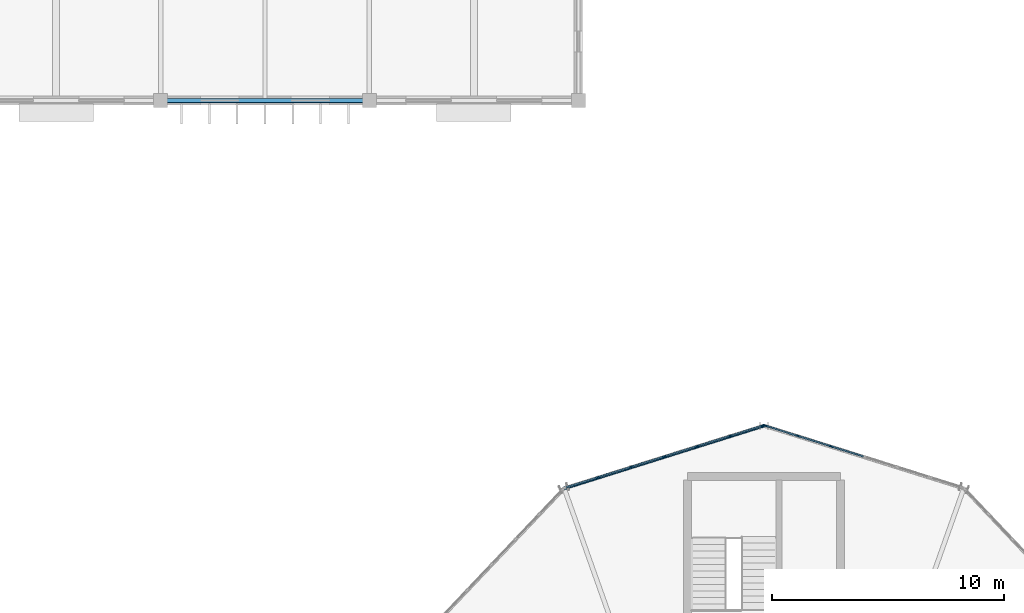
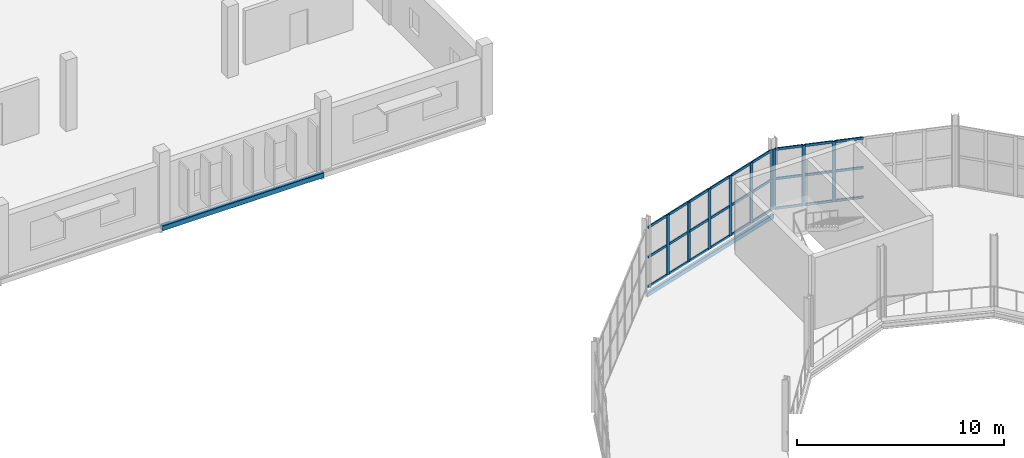
# One storey, part 103 of 161: 36 members, 2 beams, 2 elements without a shape of their own.
"""IFC4 building model written with IfcOpenShell, lengths in metres."""

import ifcopenshell
import ifcopenshell.guid

model = None  # the IFC model being written
_history = None  # IfcOwnerHistory: only IFC2X3 demands one
_inside = {}  # id of a spatial element -> (the spatial element, [elements in it])
_under = {}  # id of a project, library or spatial element -> (it, [spatial elements below it])
_declared = {}  # id of a project -> (the project, [libraries it declares])
_typed = {}  # id of a type object -> (the type object, [elements of that type])
_made_of = {}  # id of a material, layer set ... -> (it, [elements and type objects made of it])


def new_model(schema):
    """Start an empty IFC model of exactly this schema.

    Asked for "IFC4X3", IfcOpenShell would pick the latest addendum, in which some entities
    have other attributes; the version numbers below select the first issue.
    IFC2X3 requires an IfcOwnerHistory on every rooted entity: one is made here for all.
    """
    global model, _history
    if schema == "IFC4X3":
        model = ifcopenshell.file(schema_version=(4, 3, 0, 0))
    else:
        model = ifcopenshell.file(schema=schema)
    _inside.clear()
    _under.clear()
    _declared.clear()
    _typed.clear()
    _made_of.clear()
    _history = None
    if model.schema == "IFC2X3":
        org = make("IfcOrganization", Name="unknown")
        user = make(
            "IfcPersonAndOrganization",
            ThePerson=make("IfcPerson", FamilyName="unknown"),
            TheOrganization=org,
        )
        app = make(
            "IfcApplication",
            ApplicationDeveloper=org,
            Version="unknown",
            ApplicationFullName="unknown",
            ApplicationIdentifier="unknown",
        )
        _history = make(
            "IfcOwnerHistory",
            OwningUser=user,
            OwningApplication=app,
            ChangeAction="ADDED",
            CreationDate=0,
        )
    return model


def make(cls, **values):
    """One entity of the class cls with the attributes given. An attribute that is None is left unset."""
    return model.create_entity(
        cls, **{name: value for name, value in values.items() if value is not None}
    )


def rooted(cls, **values):
    """An entity with a GlobalId (a new one), such as an element, a storey or a relation."""
    return make(cls, GlobalId=ifcopenshell.guid.new(), OwnerHistory=_history, **values)


def si_unit(unit_type, name, prefix=None):
    """IfcSIUnit, for example si_unit("LENGTHUNIT", "METRE", prefix="MILLI")."""
    return make("IfcSIUnit", UnitType=unit_type, Prefix=prefix, Name=name)


def assignment(units):
    """IfcUnitAssignment: the units of a project."""
    return None if units is None else make("IfcUnitAssignment", Units=units)


def point(xyz):
    """IfcCartesianPoint."""
    return None if xyz is None else make("IfcCartesianPoint", Coordinates=xyz)


def direction(xyz):
    """IfcDirection."""
    return None if xyz is None else make("IfcDirection", DirectionRatios=xyz)


def frame(location, z_axis=None, x_axis=None):
    """IfcAxis2Placement3D, a coordinate frame: its origin and axes. An axis left out is left unset."""
    return make(
        "IfcAxis2Placement3D",
        Location=point(location),
        Axis=direction(z_axis),
        RefDirection=direction(x_axis),
    )


def frame_2d(location, x_axis=None):
    """IfcAxis2Placement2D, a coordinate frame in the plane: its origin and x axis."""
    return make(
        "IfcAxis2Placement2D", Location=point(location), RefDirection=direction(x_axis)
    )


def origin():
    """The frame at (0, 0, 0) with its axes left unset."""
    return frame((0.0, 0.0, 0.0))


def origin_2d():
    """The frame at (0, 0) in the plane with its x axis left unset."""
    return frame_2d((0.0, 0.0))


def place(relative_to, where):
    """IfcLocalPlacement: puts the frame where relative to a parent placement (None: the world)."""
    return make(
        "IfcLocalPlacement", PlacementRelTo=relative_to, RelativePlacement=where
    )


def context(
    kind, dimensions, precision=None, world=None, true_north=None, identifier=None
):
    """IfcGeometricRepresentationContext, for example the 3D "Model" context."""
    return make(
        "IfcGeometricRepresentationContext",
        ContextIdentifier=identifier,
        ContextType=kind,
        CoordinateSpaceDimension=dimensions,
        Precision=precision,
        WorldCoordinateSystem=world,
        TrueNorth=true_north,
    )


def subcontext(parent, identifier, kind, view, scale=None):
    """IfcGeometricRepresentationSubContext, for example "Body" below "Model"."""
    return make(
        "IfcGeometricRepresentationSubContext",
        ContextIdentifier=identifier,
        ContextType=kind,
        ParentContext=parent,
        TargetScale=scale,
        TargetView=view,
    )


def project(units=None, contexts=None):
    """IfcProject with its units and contexts."""
    return rooted(
        "IfcProject",
        Name="project",
        RepresentationContexts=contexts,
        UnitsInContext=assignment(units),
    )


def spatial(cls, under=None, at=None, **own):
    """A site, building, storey or space (cls), placed at a placement, below another one or the project."""
    s = rooted(cls, ObjectPlacement=at, **own)
    if under is not None:
        _under.setdefault(under.id(), (under, []))[1].append(s)
    return s


def profile(cls, at=None, kind="AREA", **sizes):
    """A parametric profile (cls). Its sizes go by their IFC names, for example OverallWidth=200.0."""
    return make(cls, ProfileType=kind, Position=at, **sizes)


def rectangle(**sizes):
    """IfcRectangleProfileDef."""
    return profile("IfcRectangleProfileDef", **sizes)


def hollow_rectangle(**sizes):
    """IfcRectangleHollowProfileDef."""
    return profile("IfcRectangleHollowProfileDef", **sizes)


def extrude(swept, where, along, depth):
    """IfcExtrudedAreaSolid: the profile swept, set in the frame where, extruded along a direction by depth."""
    return make(
        "IfcExtrudedAreaSolid",
        SweptArea=swept,
        Position=where,
        ExtrudedDirection=direction(along),
        Depth=depth,
    )


def shape(context_of_items, identifier, shape_type, items):
    """IfcShapeRepresentation: the items that make up one representation, for example the "Body"."""
    return make(
        "IfcShapeRepresentation",
        ContextOfItems=context_of_items,
        RepresentationIdentifier=identifier,
        RepresentationType=shape_type,
        Items=items,
    )


def material(Name=None, Category=None):
    """IfcMaterial."""
    return make("IfcMaterial", Name=Name, Category=Category)


def material_profile(
    of_material, cross_section, Name=None, Category=None, Priority=None
):
    """IfcMaterialProfile: a cross section and its material."""
    return make(
        "IfcMaterialProfile",
        Name=Name,
        Material=of_material,
        Profile=cross_section,
        Priority=Priority,
        Category=Category,
    )


def profile_set(profiles, Name=None, composite=None):
    """IfcMaterialProfileSet."""
    return make(
        "IfcMaterialProfileSet",
        Name=Name,
        MaterialProfiles=profiles,
        CompositeProfile=composite,
    )


def made_of(thing, what):
    """Note that an element or type object is made of a material, layer set ...; save() writes the relation."""
    if what is not None:
        _made_of.setdefault(what.id(), (what, []))[1].append(thing)
    return thing


def type_object(cls, material=None, **own):
    """A type object (cls), such as IfcWallType, which elements share."""
    return made_of(rooted(cls, **own), material)


def element(
    cls,
    number,
    at=None,
    inside=None,
    cuts=None,
    type_object=None,
    material=None,
    context=None,
    identifier="Body",
    shape_type=None,
    held_by="IfcProductDefinitionShape",
    body=None,
    shapes=None,
    **own,
):
    """One element of the class cls, such as IfcWall. Its Tag is "e" and its number.

    at: its placement. inside: the storey or other place that contains it. cuts: it is an
    opening in that element (IfcRelVoidsElement). A single representation is given by context,
    identifier, shape_type and body (its items); several are given by shapes. held_by: the class
    of the entity that holds the representations. save() writes the other relations.
    """
    e = rooted(cls, Tag="e%d" % number, ObjectPlacement=at, **own)
    if body is not None:
        shapes = [shape(context, identifier, shape_type, body)]
    if shapes is not None:
        e.Representation = make(held_by, Representations=shapes)
    if inside is not None:
        _inside.setdefault(inside.id(), (inside, []))[1].append(e)
    if cuts is not None:
        rooted(
            "IfcRelVoidsElement", RelatingBuildingElement=cuts, RelatedOpeningElement=e
        )
    if type_object is not None:
        _typed.setdefault(type_object.id(), (type_object, []))[1].append(e)
    return made_of(e, material)


def aggregate(whole, parts):
    """IfcRelAggregates: a whole, such as a stair, and the parts it consists of."""
    return rooted("IfcRelAggregates", RelatingObject=whole, RelatedObjects=parts)


def save(model, path):
    """Write the relations noted so far, then the file.

    IfcRelAggregates (storeys below a building ...), IfcRelContainedInSpatialStructure (elements
    in a storey), IfcRelDefinesByType, IfcRelAssociatesMaterial and IfcRelDeclares: one each for
    every whole, place, type object, material and project.
    """
    for whole, parts in _under.values():
        aggregate(whole, parts)
    for where, things in _inside.values():
        rooted(
            "IfcRelContainedInSpatialStructure",
            RelatedElements=things,
            RelatingStructure=where,
        )
    for kind, things in _typed.values():
        rooted("IfcRelDefinesByType", RelatedObjects=things, RelatingType=kind)
    for what, things in _made_of.values():
        rooted("IfcRelAssociatesMaterial", RelatedObjects=things, RelatingMaterial=what)
    for by, libraries in _declared.values():
        rooted("IfcRelDeclares", RelatingContext=by, RelatedDefinitions=libraries)
    model.write(path)


model = new_model("IFC4")

# Units and contexts
model_context = context("Model", 3, precision=1e-05, world=origin(), true_north=direction((0.0, 1.0)))
body_context = subcontext(model_context, "Body", "Model", "MODEL_VIEW")
ifc_project = project(units=[si_unit("LENGTHUNIT", "METRE"), si_unit("AREAUNIT", "SQUARE_METRE"), si_unit("VOLUMEUNIT", "CUBIC_METRE"), si_unit("PLANEANGLEUNIT", "RADIAN"), si_unit("MASSUNIT", "GRAM", prefix="KILO")], contexts=[model_context])

# Site, building, storey
site_placement = place(None, origin())
site = spatial("IfcSite", under=ifc_project, at=site_placement, CompositionType="ELEMENT")
building_placement = place(site_placement, origin())
building = spatial("IfcBuilding", under=site, at=building_placement, Name="Kildeholm Park Wholesale Market", CompositionType="ELEMENT")
storey_placement = place(building_placement, frame((0.0, 0.0, 5.39990234375)))
storey = spatial("IfcBuildingStorey", under=building, at=storey_placement, Name="L01", CompositionType="ELEMENT", Elevation=5.39990234375)

# Beams
ifc_material_1 = material(Name="Steel S355", Category="steel")
ifc_material_profile_1 = material_profile(ifc_material_1, hollow_rectangle(XDim=0.199951171875, YDim=0.300048828125, WallThickness=0.012451171875, InnerFilletRadius=0.012451171875, OuterFilletRadius=0.02490234375, at=origin_2d()), Name="RHS 300x200x12.5")
ifc_profile_set_1 = profile_set([ifc_material_profile_1], Name="Steel S355")
beam_type_1 = type_object("IfcBeamType", Name="Beam SP-01 RHS 300x200x12.5", PredefinedType="SPANDREL", material=ifc_profile_set_1)
beam_1_placement = place(storey_placement, frame((162.0, 144.0, -0.469970703125), z_axis=(1.0, 0.0, 0.0), x_axis=(0.0, 1.0, 0.0)))
element("IfcBeam", 1, at=beam_1_placement, inside=storey, type_object=beam_type_1, Name="Beam BM-V4-L01-X-162-144 BM-0658", PredefinedType="SPANDREL", context=body_context, shape_type="SweptSolid", body=[
    extrude(hollow_rectangle(XDim=0.199951171875, YDim=0.300048828125, WallThickness=0.012451171875, InnerFilletRadius=0.012451171875, OuterFilletRadius=0.02490234375, at=origin_2d()), origin(), (0.0, 0.0, 1.0), 9.0),
])
ifc_material_profile_2 = material_profile(ifc_material_1, hollow_rectangle(XDim=0.14990234375, YDim=0.25, WallThickness=0.010009765625, InnerFilletRadius=0.010009765625, OuterFilletRadius=0.02001953125, at=origin_2d()), Name="RHS 250x150x10")
ifc_profile_set_2 = profile_set([ifc_material_profile_2], Name="Steel S355")
beam_type_2 = type_object("IfcBeamType", Name="Beam SP-02 RHS 250x150x10", PredefinedType="SPANDREL", material=ifc_profile_set_2)
beam_2_placement = place(storey_placement, frame((188.0, 130.0, -0.385009765625), z_axis=(-0.954124515816, -0.299410100562, 0.0), x_axis=(0.299410100562, -0.954124515816, 0.0)))
element("IfcBeam", 2, at=beam_2_placement, inside=storey, type_object=beam_type_2, Name="Beam BM-V2-L01-CO-04 BM-0392", PredefinedType="SPANDREL", context=body_context, shape_type="SweptSolid", body=[
    extrude(hollow_rectangle(XDim=0.14990234375, YDim=0.25, WallThickness=0.010009765625, InnerFilletRadius=0.010009765625, OuterFilletRadius=0.02001953125, at=origin_2d()), origin(), (0.0, 0.0, 1.0), 9.024169921875),
])

# Curtain wall, members
ifc_material_2 = material(Name="Anodised aluminium and low-E double-glazed glass", Category="aluminium")
curtain_wall_type = type_object("IfcCurtainWallType", Name="Market hall glazed arcade stick curtain wall CW-01", PredefinedType="NOTDEFINED", material=ifc_material_2)
curtain_wall_1_placement = place(storey_placement, origin())
curtain_wall_1 = element("IfcCurtainWall", 3, at=curtain_wall_1_placement, inside=storey, type_object=curtain_wall_type, Name="Curtain wall CW-V2-L01-03 CW-0122", PredefinedType="NOTDEFINED")
ifc_material_3 = material(Name="Anodised aluminium", Category="aluminium")
ifc_material_profile_3 = material_profile(ifc_material_3, rectangle(XDim=0.06494140625, YDim=0.179931640625, at=origin_2d()), Name="CWM 65x180")
ifc_profile_set_3 = profile_set([ifc_material_profile_3], Name="Anodised aluminium")
member_type_1 = type_object("IfcMemberType", Name="Curtain-wall mullion CWM-1 CWM 65x180", PredefinedType="MULLION", material=ifc_profile_set_3)
member_1_placement = place(storey_placement, frame((190.884033203125, 129.10693359375, 0.0), z_axis=(0.0, 0.0, 1.0), x_axis=(-0.29947776095, -0.954103280938, 0.0)))
member_1 = element("IfcMember", 4, at=member_1_placement, type_object=member_type_1, Name="CW-01 mullion 5 MEM-3751", PredefinedType="MULLION", context=body_context, shape_type="SweptSolid", body=[
    extrude(rectangle(XDim=0.06494140625, YDim=0.179931640625, at=origin_2d()), origin(), (0.0, 0.0, 1.0), 3.550048828125),
])
member_2_placement = place(storey_placement, frame((189.46142578125, 129.553466796875, 0.0), z_axis=(0.0, 0.0, 1.0), x_axis=(-0.29947776095, -0.954103280938, 0.0)))
member_2 = element("IfcMember", 5, at=member_2_placement, type_object=member_type_1, Name="CW-01 mullion 6 MEM-3752", PredefinedType="MULLION", context=body_context, shape_type="SweptSolid", body=[
    extrude(rectangle(XDim=0.06494140625, YDim=0.179931640625, at=origin_2d()), origin(), (0.0, 0.0, 1.0), 3.550048828125),
])
member_3_placement = place(storey_placement, frame((188.070068359375, 129.990234375, 0.0), z_axis=(0.0, 0.0, 1.0), x_axis=(-0.29947776095, -0.954103280938, 0.0)))
member_3 = element("IfcMember", 6, at=member_3_placement, type_object=member_type_1, Name="CW-01 mullion 7 MEM-3753", PredefinedType="MULLION", context=body_context, shape_type="SweptSolid", body=[
    extrude(rectangle(XDim=0.06494140625, YDim=0.179931640625, at=origin_2d()), origin(), (0.0, 0.0, 1.0), 3.550048828125),
])

curtain_wall_2_placement = place(storey_placement, origin())
curtain_wall_2 = element("IfcCurtainWall", 7, at=curtain_wall_2_placement, inside=storey, type_object=curtain_wall_type, Name="Curtain wall CW-V2-L01-04 CW-0123", PredefinedType="NOTDEFINED")
member_4_placement = place(storey_placement, frame((187.929931640625, 129.990234375, 0.0), z_axis=(0.0, 0.0, 1.0), x_axis=(0.29947776095, -0.954103280938, 0.0)))
member_4 = element("IfcMember", 8, at=member_4_placement, type_object=member_type_1, Name="CW-01 mullion 1 MEM-3772", PredefinedType="MULLION", context=body_context, shape_type="SweptSolid", body=[
    extrude(rectangle(XDim=0.06494140625, YDim=0.179931640625, at=origin_2d()), origin(), (0.0, 0.0, 1.0), 3.550048828125),
])
member_5_placement = place(storey_placement, frame((186.53857421875, 129.553466796875, 0.0), z_axis=(0.0, 0.0, 1.0), x_axis=(0.29947776095, -0.954103280938, 0.0)))
member_5 = element("IfcMember", 9, at=member_5_placement, type_object=member_type_1, Name="CW-01 mullion 2 MEM-3773", PredefinedType="MULLION", context=body_context, shape_type="SweptSolid", body=[
    extrude(rectangle(XDim=0.06494140625, YDim=0.179931640625, at=origin_2d()), origin(), (0.0, 0.0, 1.0), 3.550048828125),
])
member_6_placement = place(storey_placement, frame((185.115966796875, 129.10693359375, 0.0), z_axis=(0.0, 0.0, 1.0), x_axis=(0.29947776095, -0.954103280938, 0.0)))
member_6 = element("IfcMember", 10, at=member_6_placement, type_object=member_type_1, Name="CW-01 mullion 3 MEM-3774", PredefinedType="MULLION", context=body_context, shape_type="SweptSolid", body=[
    extrude(rectangle(XDim=0.06494140625, YDim=0.179931640625, at=origin_2d()), origin(), (0.0, 0.0, 1.0), 3.550048828125),
])
member_7_placement = place(storey_placement, frame((183.693603515625, 128.660400390625, 0.0), z_axis=(0.0, 0.0, 1.0), x_axis=(0.29947776095, -0.954103280938, 0.0)))
member_7 = element("IfcMember", 11, at=member_7_placement, type_object=member_type_1, Name="CW-01 mullion 4 MEM-3775", PredefinedType="MULLION", context=body_context, shape_type="SweptSolid", body=[
    extrude(rectangle(XDim=0.06494140625, YDim=0.179931640625, at=origin_2d()), origin(), (0.0, 0.0, 1.0), 3.550048828125),
])
member_8_placement = place(storey_placement, frame((182.27099609375, 128.214111328125, 0.0), z_axis=(0.0, 0.0, 1.0), x_axis=(0.29947776095, -0.954103280938, 0.0)))
member_8 = element("IfcMember", 12, at=member_8_placement, type_object=member_type_1, Name="CW-01 mullion 5 MEM-3776", PredefinedType="MULLION", context=body_context, shape_type="SweptSolid", body=[
    extrude(rectangle(XDim=0.06494140625, YDim=0.179931640625, at=origin_2d()), origin(), (0.0, 0.0, 1.0), 3.550048828125),
])
member_9_placement = place(storey_placement, frame((180.848388671875, 127.767578125, 0.0), z_axis=(0.0, 0.0, 1.0), x_axis=(0.29947776095, -0.954103280938, 0.0)))
member_9 = element("IfcMember", 13, at=member_9_placement, type_object=member_type_1, Name="CW-01 mullion 6 MEM-3777", PredefinedType="MULLION", context=body_context, shape_type="SweptSolid", body=[
    extrude(rectangle(XDim=0.06494140625, YDim=0.179931640625, at=origin_2d()), origin(), (0.0, 0.0, 1.0), 3.550048828125),
])

# Member
ifc_material_profile_4 = material_profile(ifc_material_3, rectangle(XDim=0.06494140625, YDim=0.139892578125, at=origin_2d()), Name="CWT 65x140")
ifc_profile_set_4 = profile_set([ifc_material_profile_4], Name="Anodised aluminium")
member_type_2 = type_object("IfcMemberType", Name="Curtain-wall transom CWT-1 CWT 65x140", PredefinedType="USERDEFINED", material=ifc_profile_set_4)
member_10_placement = place(storey_placement, frame((192.275390625, 128.670166015625, 0.03271484375), z_axis=(-0.954101406412, 0.299483732917, 0.0), x_axis=(-0.299483732917, -0.954101406412, 0.0)))
member_10 = element("IfcMember", 14, at=member_10_placement, type_object=member_type_2, Name="CW-01 transom 4.1 MEM-3763", ObjectType="TRANSOM", PredefinedType="USERDEFINED", context=body_context, shape_type="SweptSolid", body=[
    extrude(rectangle(XDim=0.06494140625, YDim=0.139892578125, at=origin_2d()), origin(), (0.0, 0.0, 1.0), 1.42578125),
])

member_11_placement = place(storey_placement, frame((192.275390625, 128.670166015625, 1.775146484375), z_axis=(-0.954101406412, 0.299483732917, 0.0), x_axis=(-0.299483732917, -0.954101406412, 0.0)))
member_11 = element("IfcMember", 15, at=member_11_placement, type_object=member_type_2, Name="CW-01 transom 4.2 MEM-3764", ObjectType="TRANSOM", PredefinedType="USERDEFINED", context=body_context, shape_type="SweptSolid", body=[
    extrude(rectangle(XDim=0.06494140625, YDim=0.139892578125, at=origin_2d()), origin(), (0.0, 0.0, 1.0), 1.42578125),
])

member_12_placement = place(storey_placement, frame((192.275390625, 128.670166015625, 3.517578125), z_axis=(-0.954101406412, 0.299483732917, 0.0), x_axis=(-0.299483732917, -0.954101406412, 0.0)))
member_12 = element("IfcMember", 16, at=member_12_placement, type_object=member_type_2, Name="CW-01 transom 4.3 MEM-3765", ObjectType="TRANSOM", PredefinedType="USERDEFINED", context=body_context, shape_type="SweptSolid", body=[
    extrude(rectangle(XDim=0.06494140625, YDim=0.139892578125, at=origin_2d()), origin(), (0.0, 0.0, 1.0), 1.42578125),
])

member_13_placement = place(storey_placement, frame((190.85302734375, 129.11669921875, 0.03271484375), z_axis=(-0.954116760481, 0.299434813221, 0.0), x_axis=(-0.299434813221, -0.954116760481, 0.0)))
member_13 = element("IfcMember", 17, at=member_13_placement, type_object=member_type_2, Name="CW-01 transom 5.1 MEM-3766", ObjectType="TRANSOM", PredefinedType="USERDEFINED", context=body_context, shape_type="SweptSolid", body=[
    extrude(rectangle(XDim=0.06494140625, YDim=0.139892578125, at=origin_2d()), origin(), (0.0, 0.0, 1.0), 1.426025390625),
])

member_14_placement = place(storey_placement, frame((190.85302734375, 129.11669921875, 1.775146484375), z_axis=(-0.954116760481, 0.299434813221, 0.0), x_axis=(-0.299434813221, -0.954116760481, 0.0)))
member_14 = element("IfcMember", 18, at=member_14_placement, type_object=member_type_2, Name="CW-01 transom 5.2 MEM-3767", ObjectType="TRANSOM", PredefinedType="USERDEFINED", context=body_context, shape_type="SweptSolid", body=[
    extrude(rectangle(XDim=0.06494140625, YDim=0.139892578125, at=origin_2d()), origin(), (0.0, 0.0, 1.0), 1.426025390625),
])

member_15_placement = place(storey_placement, frame((190.85302734375, 129.11669921875, 3.517578125), z_axis=(-0.954116760481, 0.299434813221, 0.0), x_axis=(-0.299434813221, -0.954116760481, 0.0)))
member_15 = element("IfcMember", 19, at=member_15_placement, type_object=member_type_2, Name="CW-01 transom 5.3 MEM-3768", ObjectType="TRANSOM", PredefinedType="USERDEFINED", context=body_context, shape_type="SweptSolid", body=[
    extrude(rectangle(XDim=0.06494140625, YDim=0.139892578125, at=origin_2d()), origin(), (0.0, 0.0, 1.0), 1.426025390625),
])

member_16_placement = place(storey_placement, frame((189.430419921875, 129.563232421875, 0.03271484375), z_axis=(-0.954108208412, 0.299462062108, 0.0), x_axis=(-0.299462062108, -0.954108208412, 0.0)))
member_16 = element("IfcMember", 20, at=member_16_placement, type_object=member_type_2, Name="CW-01 transom 6.1 MEM-3769", ObjectType="TRANSOM", PredefinedType="USERDEFINED", context=body_context, shape_type="SweptSolid", body=[
    extrude(rectangle(XDim=0.06494140625, YDim=0.139892578125, at=origin_2d()), origin(), (0.0, 0.0, 1.0), 1.393310546875),
])

member_17_placement = place(storey_placement, frame((189.430419921875, 129.563232421875, 1.775146484375), z_axis=(-0.954108208412, 0.299462062108, 0.0), x_axis=(-0.299462062108, -0.954108208412, 0.0)))
member_17 = element("IfcMember", 21, at=member_17_placement, type_object=member_type_2, Name="CW-01 transom 6.2 MEM-3770", ObjectType="TRANSOM", PredefinedType="USERDEFINED", context=body_context, shape_type="SweptSolid", body=[
    extrude(rectangle(XDim=0.06494140625, YDim=0.139892578125, at=origin_2d()), origin(), (0.0, 0.0, 1.0), 1.393310546875),
])

member_18_placement = place(storey_placement, frame((189.430419921875, 129.563232421875, 3.517578125), z_axis=(-0.954108208412, 0.299462062108, 0.0), x_axis=(-0.299462062108, -0.954108208412, 0.0)))
member_18 = element("IfcMember", 22, at=member_18_placement, type_object=member_type_2, Name="CW-01 transom 6.3 MEM-3771", ObjectType="TRANSOM", PredefinedType="USERDEFINED", context=body_context, shape_type="SweptSolid", body=[
    extrude(rectangle(XDim=0.06494140625, YDim=0.139892578125, at=origin_2d()), origin(), (0.0, 0.0, 1.0), 1.393310546875),
])

aggregate(curtain_wall_1, [member_1, member_2, member_3, member_10, member_11, member_12, member_13, member_14, member_15, member_16, member_17, member_18])

member_19_placement = place(storey_placement, frame((187.89892578125, 129.98046875, 0.03271484375), z_axis=(-0.954108208412, -0.299462062108, 0.0), x_axis=(0.299462062108, -0.954108208412, 0.0)))
member_19 = element("IfcMember", 23, at=member_19_placement, type_object=member_type_2, Name="CW-01 transom 1.1 MEM-3779", ObjectType="TRANSOM", PredefinedType="USERDEFINED", context=body_context, shape_type="SweptSolid", body=[
    extrude(rectangle(XDim=0.06494140625, YDim=0.139892578125, at=origin_2d()), origin(), (0.0, 0.0, 1.0), 1.393310546875),
])

member_20_placement = place(storey_placement, frame((187.89892578125, 129.98046875, 1.775146484375), z_axis=(-0.954108208412, -0.299462062108, 0.0), x_axis=(0.299462062108, -0.954108208412, 0.0)))
member_20 = element("IfcMember", 24, at=member_20_placement, type_object=member_type_2, Name="CW-01 transom 1.2 MEM-3780", ObjectType="TRANSOM", PredefinedType="USERDEFINED", context=body_context, shape_type="SweptSolid", body=[
    extrude(rectangle(XDim=0.06494140625, YDim=0.139892578125, at=origin_2d()), origin(), (0.0, 0.0, 1.0), 1.393310546875),
])

member_21_placement = place(storey_placement, frame((187.89892578125, 129.98046875, 3.517578125), z_axis=(-0.954108208412, -0.299462062108, 0.0), x_axis=(0.299462062108, -0.954108208412, 0.0)))
member_21 = element("IfcMember", 25, at=member_21_placement, type_object=member_type_2, Name="CW-01 transom 1.3 MEM-3781", ObjectType="TRANSOM", PredefinedType="USERDEFINED", context=body_context, shape_type="SweptSolid", body=[
    extrude(rectangle(XDim=0.06494140625, YDim=0.139892578125, at=origin_2d()), origin(), (0.0, 0.0, 1.0), 1.393310546875),
])

member_22_placement = place(storey_placement, frame((186.507568359375, 129.543701171875, 0.03271484375), z_axis=(-0.954116760481, -0.299434813221, 0.0), x_axis=(0.299434813221, -0.954116760481, 0.0)))
member_22 = element("IfcMember", 26, at=member_22_placement, type_object=member_type_2, Name="CW-01 transom 2.1 MEM-3782", ObjectType="TRANSOM", PredefinedType="USERDEFINED", context=body_context, shape_type="SweptSolid", body=[
    extrude(rectangle(XDim=0.06494140625, YDim=0.139892578125, at=origin_2d()), origin(), (0.0, 0.0, 1.0), 1.426025390625),
])

member_23_placement = place(storey_placement, frame((186.507568359375, 129.543701171875, 1.775146484375), z_axis=(-0.954116760481, -0.299434813221, 0.0), x_axis=(0.299434813221, -0.954116760481, 0.0)))
member_23 = element("IfcMember", 27, at=member_23_placement, type_object=member_type_2, Name="CW-01 transom 2.2 MEM-3783", ObjectType="TRANSOM", PredefinedType="USERDEFINED", context=body_context, shape_type="SweptSolid", body=[
    extrude(rectangle(XDim=0.06494140625, YDim=0.139892578125, at=origin_2d()), origin(), (0.0, 0.0, 1.0), 1.426025390625),
])

member_24_placement = place(storey_placement, frame((186.507568359375, 129.543701171875, 3.517578125), z_axis=(-0.954116760481, -0.299434813221, 0.0), x_axis=(0.299434813221, -0.954116760481, 0.0)))
member_24 = element("IfcMember", 28, at=member_24_placement, type_object=member_type_2, Name="CW-01 transom 2.3 MEM-3784", ObjectType="TRANSOM", PredefinedType="USERDEFINED", context=body_context, shape_type="SweptSolid", body=[
    extrude(rectangle(XDim=0.06494140625, YDim=0.139892578125, at=origin_2d()), origin(), (0.0, 0.0, 1.0), 1.426025390625),
])

member_25_placement = place(storey_placement, frame((185.0849609375, 129.09716796875, 0.03271484375), z_axis=(-0.954101406412, -0.299483732917, 0.0), x_axis=(0.299483732917, -0.954101406412, 0.0)))
member_25 = element("IfcMember", 29, at=member_25_placement, type_object=member_type_2, Name="CW-01 transom 3.1 MEM-3785", ObjectType="TRANSOM", PredefinedType="USERDEFINED", context=body_context, shape_type="SweptSolid", body=[
    extrude(rectangle(XDim=0.06494140625, YDim=0.139892578125, at=origin_2d()), origin(), (0.0, 0.0, 1.0), 1.42578125),
])

member_26_placement = place(storey_placement, frame((185.0849609375, 129.09716796875, 1.775146484375), z_axis=(-0.954101406412, -0.299483732917, 0.0), x_axis=(0.299483732917, -0.954101406412, 0.0)))
member_26 = element("IfcMember", 30, at=member_26_placement, type_object=member_type_2, Name="CW-01 transom 3.2 MEM-3786", ObjectType="TRANSOM", PredefinedType="USERDEFINED", context=body_context, shape_type="SweptSolid", body=[
    extrude(rectangle(XDim=0.06494140625, YDim=0.139892578125, at=origin_2d()), origin(), (0.0, 0.0, 1.0), 1.42578125),
])

member_27_placement = place(storey_placement, frame((185.0849609375, 129.09716796875, 3.517578125), z_axis=(-0.954101406412, -0.299483732917, 0.0), x_axis=(0.299483732917, -0.954101406412, 0.0)))
member_27 = element("IfcMember", 31, at=member_27_placement, type_object=member_type_2, Name="CW-01 transom 3.3 MEM-3787", ObjectType="TRANSOM", PredefinedType="USERDEFINED", context=body_context, shape_type="SweptSolid", body=[
    extrude(rectangle(XDim=0.06494140625, YDim=0.139892578125, at=origin_2d()), origin(), (0.0, 0.0, 1.0), 1.42578125),
])

member_28_placement = place(storey_placement, frame((183.66259765625, 128.65087890625, 0.03271484375), z_axis=(-0.954067838163, -0.299590654367, 0.0), x_axis=(0.299590654367, -0.954067838163, 0.0)))
member_28 = element("IfcMember", 32, at=member_28_placement, type_object=member_type_2, Name="CW-01 transom 4.1 MEM-3788", ObjectType="TRANSOM", PredefinedType="USERDEFINED", context=body_context, shape_type="SweptSolid", body=[
    extrude(rectangle(XDim=0.06494140625, YDim=0.139892578125, at=origin_2d()), origin(), (0.0, 0.0, 1.0), 1.426025390625),
])

member_29_placement = place(storey_placement, frame((183.66259765625, 128.65087890625, 1.775146484375), z_axis=(-0.954067838163, -0.299590654367, 0.0), x_axis=(0.299590654367, -0.954067838163, 0.0)))
member_29 = element("IfcMember", 33, at=member_29_placement, type_object=member_type_2, Name="CW-01 transom 4.2 MEM-3789", ObjectType="TRANSOM", PredefinedType="USERDEFINED", context=body_context, shape_type="SweptSolid", body=[
    extrude(rectangle(XDim=0.06494140625, YDim=0.139892578125, at=origin_2d()), origin(), (0.0, 0.0, 1.0), 1.426025390625),
])

member_30_placement = place(storey_placement, frame((183.66259765625, 128.65087890625, 3.517578125), z_axis=(-0.954067838163, -0.299590654367, 0.0), x_axis=(0.299590654367, -0.954067838163, 0.0)))
member_30 = element("IfcMember", 34, at=member_30_placement, type_object=member_type_2, Name="CW-01 transom 4.3 MEM-3790", ObjectType="TRANSOM", PredefinedType="USERDEFINED", context=body_context, shape_type="SweptSolid", body=[
    extrude(rectangle(XDim=0.06494140625, YDim=0.139892578125, at=origin_2d()), origin(), (0.0, 0.0, 1.0), 1.426025390625),
])

member_31_placement = place(storey_placement, frame((182.239990234375, 128.204345703125, 0.03271484375), z_axis=(-0.954116760481, -0.299434813221, 0.0), x_axis=(0.299434813221, -0.954116760481, 0.0)))
member_31 = element("IfcMember", 35, at=member_31_placement, type_object=member_type_2, Name="CW-01 transom 5.1 MEM-3791", ObjectType="TRANSOM", PredefinedType="USERDEFINED", context=body_context, shape_type="SweptSolid", body=[
    extrude(rectangle(XDim=0.06494140625, YDim=0.139892578125, at=origin_2d()), origin(), (0.0, 0.0, 1.0), 1.426025390625),
])

member_32_placement = place(storey_placement, frame((182.239990234375, 128.204345703125, 1.775146484375), z_axis=(-0.954116760481, -0.299434813221, 0.0), x_axis=(0.299434813221, -0.954116760481, 0.0)))
member_32 = element("IfcMember", 36, at=member_32_placement, type_object=member_type_2, Name="CW-01 transom 5.2 MEM-3792", ObjectType="TRANSOM", PredefinedType="USERDEFINED", context=body_context, shape_type="SweptSolid", body=[
    extrude(rectangle(XDim=0.06494140625, YDim=0.139892578125, at=origin_2d()), origin(), (0.0, 0.0, 1.0), 1.426025390625),
])

member_33_placement = place(storey_placement, frame((182.239990234375, 128.204345703125, 3.517578125), z_axis=(-0.954116760481, -0.299434813221, 0.0), x_axis=(0.299434813221, -0.954116760481, 0.0)))
member_33 = element("IfcMember", 37, at=member_33_placement, type_object=member_type_2, Name="CW-01 transom 5.3 MEM-3793", ObjectType="TRANSOM", PredefinedType="USERDEFINED", context=body_context, shape_type="SweptSolid", body=[
    extrude(rectangle(XDim=0.06494140625, YDim=0.139892578125, at=origin_2d()), origin(), (0.0, 0.0, 1.0), 1.426025390625),
])

member_34_placement = place(storey_placement, frame((180.8173828125, 127.7578125, 0.03271484375), z_axis=(-0.954108208412, -0.299462062108, 0.0), x_axis=(0.299462062108, -0.954108208412, 0.0)))
member_34 = element("IfcMember", 38, at=member_34_placement, type_object=member_type_2, Name="CW-01 transom 6.1 MEM-3794", ObjectType="TRANSOM", PredefinedType="USERDEFINED", context=body_context, shape_type="SweptSolid", body=[
    extrude(rectangle(XDim=0.06494140625, YDim=0.139892578125, at=origin_2d()), origin(), (0.0, 0.0, 1.0), 1.393310546875),
])

member_35_placement = place(storey_placement, frame((180.8173828125, 127.7578125, 1.775146484375), z_axis=(-0.954108208412, -0.299462062108, 0.0), x_axis=(0.299462062108, -0.954108208412, 0.0)))
member_35 = element("IfcMember", 39, at=member_35_placement, type_object=member_type_2, Name="CW-01 transom 6.2 MEM-3795", ObjectType="TRANSOM", PredefinedType="USERDEFINED", context=body_context, shape_type="SweptSolid", body=[
    extrude(rectangle(XDim=0.06494140625, YDim=0.139892578125, at=origin_2d()), origin(), (0.0, 0.0, 1.0), 1.393310546875),
])

member_36_placement = place(storey_placement, frame((180.8173828125, 127.7578125, 3.517578125), z_axis=(-0.954108208412, -0.299462062108, 0.0), x_axis=(0.299462062108, -0.954108208412, 0.0)))
member_36 = element("IfcMember", 40, at=member_36_placement, type_object=member_type_2, Name="CW-01 transom 6.3 MEM-3796", ObjectType="TRANSOM", PredefinedType="USERDEFINED", context=body_context, shape_type="SweptSolid", body=[
    extrude(rectangle(XDim=0.06494140625, YDim=0.139892578125, at=origin_2d()), origin(), (0.0, 0.0, 1.0), 1.393310546875),
])

aggregate(curtain_wall_2, [member_4, member_5, member_6, member_7, member_8, member_9, member_19, member_20, member_21, member_22, member_23, member_24, member_25, member_26, member_27, member_28, member_29, member_30, member_31, member_32, member_33, member_34, member_35, member_36])

save(model, "model.ifc")
